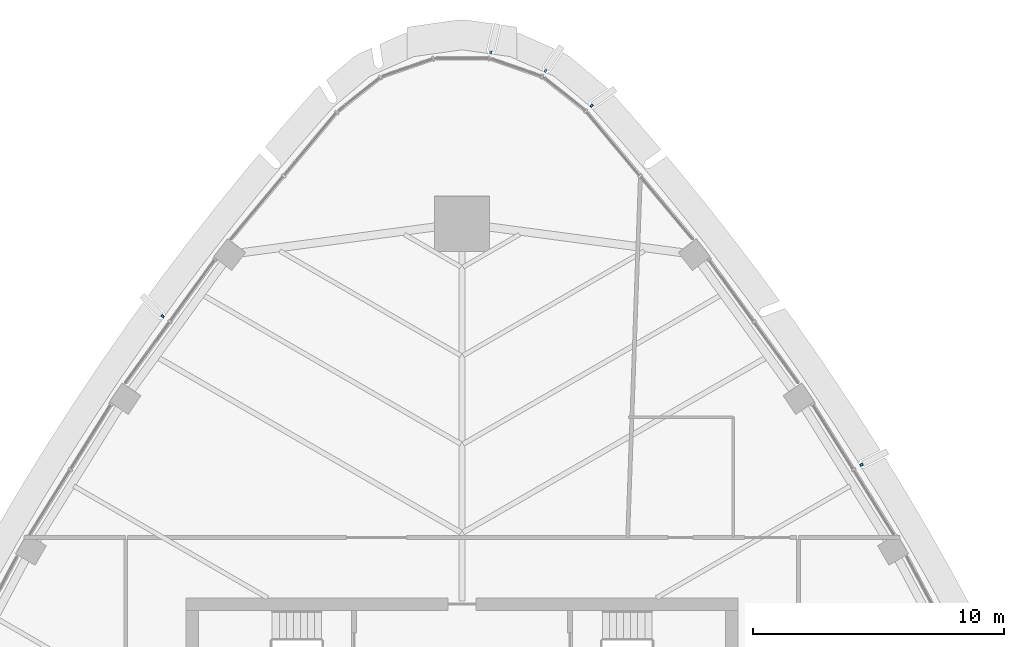
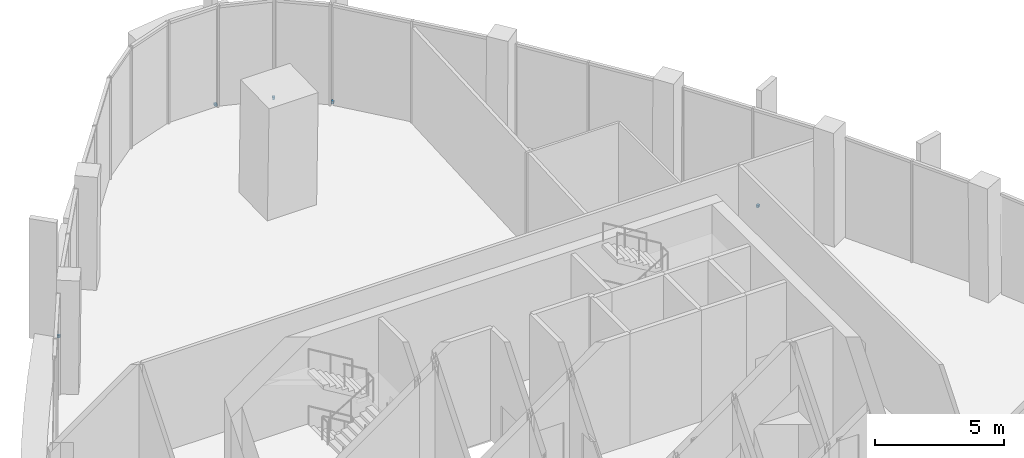
# One storey, part 14 of 19: 5 discrete accessories.
"""IFC4 building model written with IfcOpenShell, lengths in metres."""

from ifc_helpers import new_model, si_unit, direction, frame, origin, origin_2d, place, context, subcontext, project, spatial, rectangle, extrude, material, type_object, element, save


model = new_model("IFC4")

# Units and contexts
model_context = context("Model", 3, precision=1e-05, world=origin(), true_north=direction((0.0, 1.0)))
body_context = subcontext(model_context, "Body", "Model", "MODEL_VIEW")
ifc_project = project(units=[si_unit("LENGTHUNIT", "METRE"), si_unit("AREAUNIT", "SQUARE_METRE"), si_unit("VOLUMEUNIT", "CUBIC_METRE"), si_unit("PLANEANGLEUNIT", "RADIAN"), si_unit("MASSUNIT", "GRAM", prefix="KILO")], contexts=[model_context])

# Site, building, storey
site_placement = place(None, origin())
site = spatial("IfcSite", under=ifc_project, at=site_placement, CompositionType="ELEMENT")
building_placement = place(site_placement, origin())
building = spatial("IfcBuilding", under=site, at=building_placement, Name="Sierra Prisma Convention Tower", CompositionType="ELEMENT")
storey_placement = place(building_placement, frame((0.0, 0.0, 319.0)))
storey = spatial("IfcBuildingStorey", under=building, at=storey_placement, Name="L73", CompositionType="ELEMENT", Elevation=319.0)

# Discrete accessories
ifc_material = material(Name="Stainless steel 316", Category="steel")
discrete_accessory_type = type_object("IfcDiscreteAccessoryType", Name="Fin bracket", PredefinedType="BRACKET", material=ifc_material)
for number, where, z_axis, x_axis, name in (
    (1, (15.913818359375, 13.302734375, -0.135009765625), (0.0, 0.0, 1.0), (0.851543960136, 0.524283209684, 0.0), "Fin bracket L73.33 base"),
    (2, (5.159912109375, 27.60009765625, -0.135009765625), (0.0, 0.0, 1.0), (0.64412348236, 0.764921525042, 0.0), "Fin bracket L73.40 base"),
    (3, (3.326171875, 28.99462890625, -0.135009765625), (0.0, 0.0, 1.0), (0.407692976883, 0.91311907033, 0.0), "Fin bracket L73.41 base"),
    (4, (1.1484375, 29.72900390625, -0.135009765625), (0.0, 0.0, 1.0), (0.13951872308, 0.990219433212, 0.0), "Fin bracket L73.42 base"),
    (5, (-11.930419921875, 19.215576171875, -0.135009765625), (0.0, 0.0, 1.0), (-0.80963201009, 0.586937823145, 0.0), "Fin bracket L73.49 base"),
):
    element("IfcDiscreteAccessory", number, at=place(storey_placement, frame(where, z_axis=z_axis, x_axis=x_axis)), inside=storey, type_object=discrete_accessory_type, Name=name, PredefinedType="BRACKET", context=body_context, shape_type="SweptSolid", body=[
        extrude(rectangle(XDim=0.1201171875, YDim=0.10009765625, at=origin_2d()), origin(), (0.0, 0.0, 1.0), 0.1201171875),
    ])

save(model, "model.ifc")
